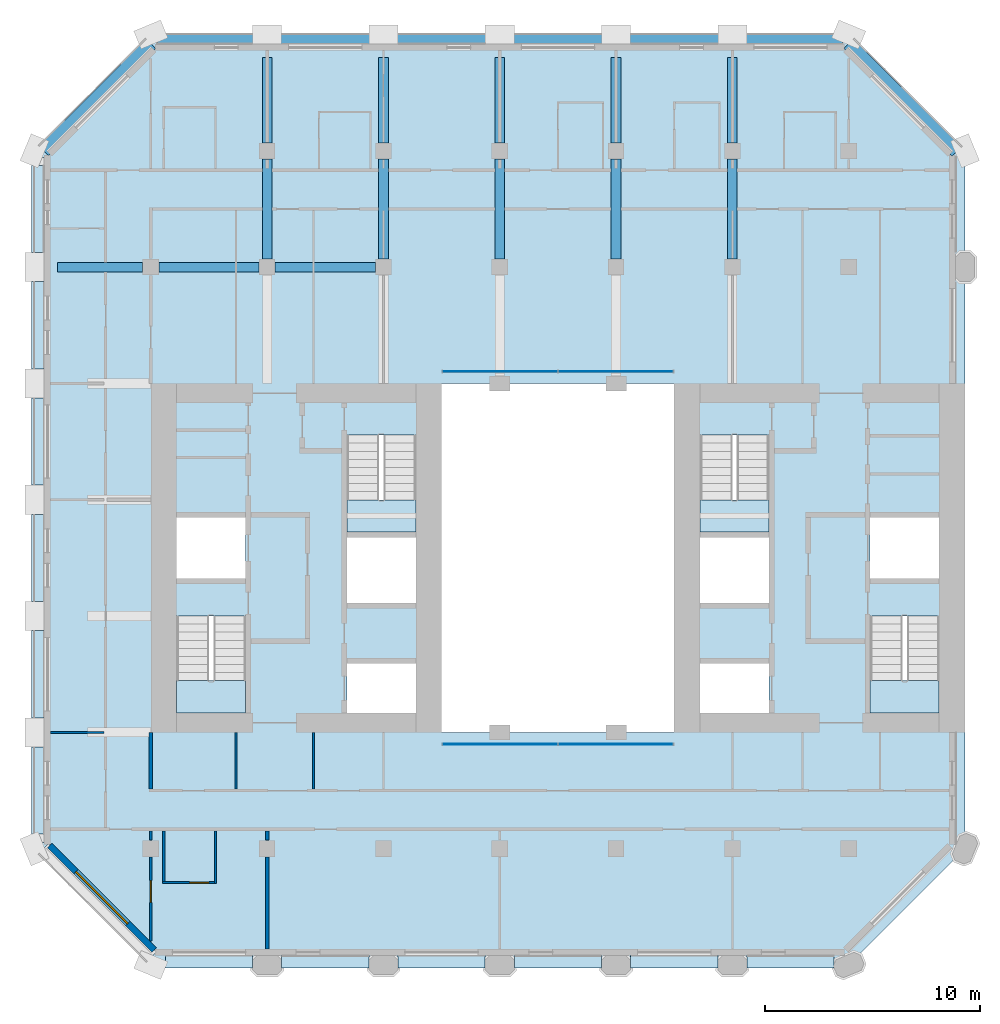
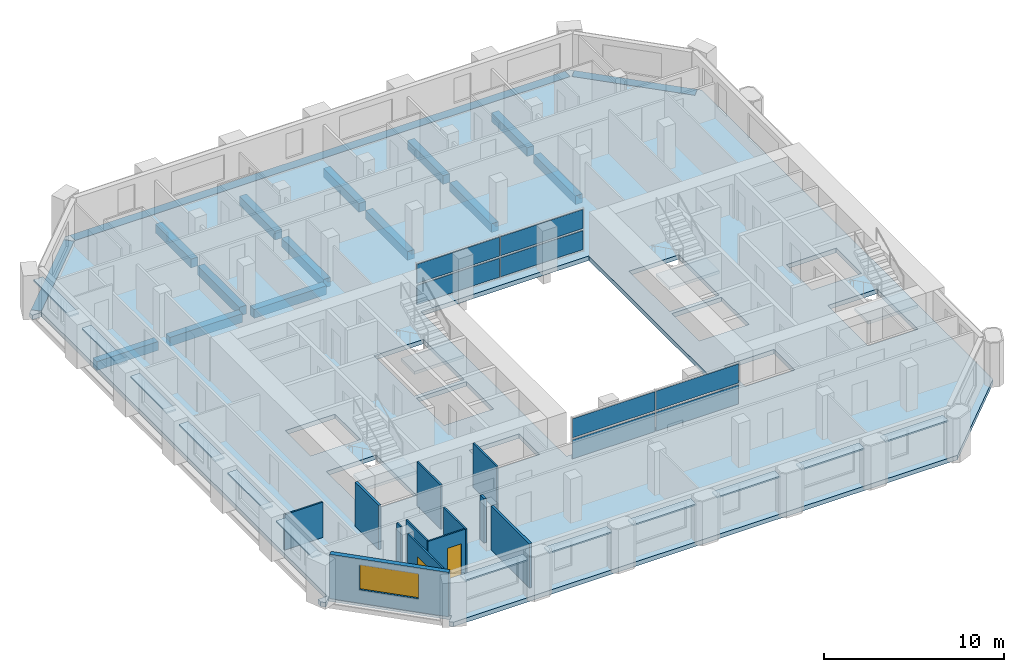
# One storey, part 5 of 14: 20 plates, 16 beams, 12 walls, 5 slabs, 2 doors, 1 window, 3 openings, 6 elements without a shape of their own.
"""IFC4 building model written with IfcOpenShell, lengths in metres."""

from ifc_helpers import new_model, si_unit, direction, frame, frame_2d, origin, origin_2d, place, context, subcontext, project, spatial, polyline, rectangle, outline, extrude, material, layer, layer_set, material_profile, profile_set, type_object, element, fill, aggregate, save


model = new_model("IFC4")

# Units and contexts
model_context = context("Model", 3, precision=1e-05, world=origin(), true_north=direction((0.0, 1.0)))
body_context = subcontext(model_context, "Body", "Model", "MODEL_VIEW")
ifc_project = project(units=[si_unit("LENGTHUNIT", "METRE"), si_unit("AREAUNIT", "SQUARE_METRE"), si_unit("VOLUMEUNIT", "CUBIC_METRE"), si_unit("PLANEANGLEUNIT", "RADIAN"), si_unit("MASSUNIT", "GRAM", prefix="KILO")], contexts=[model_context])

# Site, building, storey
site_placement = place(None, origin())
site = spatial("IfcSite", under=ifc_project, at=site_placement, CompositionType="ELEMENT")
building_placement = place(site_placement, origin())
building = spatial("IfcBuilding", under=site, at=building_placement, Name="Tabaq Tower and Sports Hall", CompositionType="ELEMENT")
storey_placement = place(building_placement, frame((0.0, 0.0, 226.89990234375)))
storey = spatial("IfcBuildingStorey", under=building, at=storey_placement, Name="L57", CompositionType="ELEMENT", Elevation=226.89990234375)

# Beams
ifc_material_1 = material(Name="Concrete C40/50", Category="concrete")
ifc_material_profile_1 = material_profile(ifc_material_1, rectangle(XDim=0.449951171875, YDim=0.60009765625, at=origin_2d()), Name="CB 450x600")
ifc_profile_set_1 = profile_set([ifc_material_profile_1], Name="Concrete C40/50")
beam_type_1 = type_object("IfcBeamType", Name="PT CANTILEVER BEAM CB 450x600 C40/50", PredefinedType="BEAM", material=ifc_profile_set_1)
beam_1_placement = place(storey_placement, frame((1.074951171875, 37.800048828125, -0.599853515625), z_axis=(1.0, 0.0, 0.0), x_axis=(0.0, 1.0, 0.0)))
element("IfcBeam", 1, at=beam_1_placement, inside=storey, type_object=beam_type_1, Name="Cantilever Beam L57 W7 span 1", PredefinedType="BEAM", context=body_context, shape_type="SweptSolid", body=[
    extrude(rectangle(XDim=0.449951171875, YDim=0.60009765625, at=origin_2d()), origin(), (0.0, 0.0, 1.0), 3.949951171875),
])
beam_2_placement = place(storey_placement, frame((5.77490234375, 37.800048828125, -0.599853515625), z_axis=(1.0, 0.0, 0.0), x_axis=(0.0, 1.0, 0.0)))
element("IfcBeam", 2, at=beam_2_placement, inside=storey, type_object=beam_type_1, Name="Cantilever Beam L57 W7 span 2", PredefinedType="BEAM", context=body_context, shape_type="SweptSolid", body=[
    extrude(rectangle(XDim=0.449951171875, YDim=0.60009765625, at=origin_2d()), origin(), (0.0, 0.0, 1.0), 4.650146484375),
])
beam_3_placement = place(storey_placement, frame((11.175048828125, 37.800048828125, -0.599853515625), z_axis=(1.0, 0.0, 0.0), x_axis=(0.0, 1.0, 0.0)))
element("IfcBeam", 3, at=beam_3_placement, inside=storey, type_object=beam_type_1, Name="Cantilever Beam L57 W7 span 3", PredefinedType="BEAM", context=body_context, shape_type="SweptSolid", body=[
    extrude(rectangle(XDim=0.449951171875, YDim=0.60009765625, at=origin_2d()), origin(), (0.0, 0.0, 1.0), 4.64990234375),
])
beam_4_placement = place(storey_placement, frame((10.800048828125, 47.52490234375, -0.599853515625), z_axis=(0.0, -1.0, 0.0), x_axis=(1.0, 0.0, 0.0)))
element("IfcBeam", 4, at=beam_4_placement, inside=storey, type_object=beam_type_1, Name="Cantilever Beam L57 N2 span 1", PredefinedType="BEAM", context=body_context, shape_type="SweptSolid", body=[
    extrude(rectangle(XDim=0.449951171875, YDim=0.60009765625, at=origin_2d()), origin(), (0.0, 0.0, 1.0), 3.949951171875),
])
beam_5_placement = place(storey_placement, frame((10.800048828125, 42.824951171875, -0.599853515625), z_axis=(0.0, -1.0, 0.0), x_axis=(1.0, 0.0, 0.0)))
element("IfcBeam", 5, at=beam_5_placement, inside=storey, type_object=beam_type_1, Name="Cantilever Beam L57 N2 span 2", PredefinedType="BEAM", context=body_context, shape_type="SweptSolid", body=[
    extrude(rectangle(XDim=0.449951171875, YDim=0.60009765625, at=origin_2d()), origin(), (0.0, 0.0, 1.0), 4.64990234375),
])
beam_6_placement = place(storey_placement, frame((16.199951171875, 47.52490234375, -0.599853515625), z_axis=(0.0, -1.0, 0.0), x_axis=(1.0, 0.0, 0.0)))
element("IfcBeam", 6, at=beam_6_placement, inside=storey, type_object=beam_type_1, Name="Cantilever Beam L57 N3 span 1", PredefinedType="BEAM", context=body_context, shape_type="SweptSolid", body=[
    extrude(rectangle(XDim=0.449951171875, YDim=0.60009765625, at=origin_2d()), origin(), (0.0, 0.0, 1.0), 3.949951171875),
])
beam_7_placement = place(storey_placement, frame((16.199951171875, 42.824951171875, -0.599853515625), z_axis=(0.0, -1.0, 0.0), x_axis=(1.0, 0.0, 0.0)))
element("IfcBeam", 7, at=beam_7_placement, inside=storey, type_object=beam_type_1, Name="Cantilever Beam L57 N3 span 2", PredefinedType="BEAM", context=body_context, shape_type="SweptSolid", body=[
    extrude(rectangle(XDim=0.449951171875, YDim=0.60009765625, at=origin_2d()), origin(), (0.0, 0.0, 1.0), 4.64990234375),
])
beam_8_placement = place(storey_placement, frame((21.60009765625, 47.52490234375, -0.599853515625), z_axis=(0.0, -1.0, 0.0), x_axis=(1.0, 0.0, 0.0)))
element("IfcBeam", 8, at=beam_8_placement, inside=storey, type_object=beam_type_1, Name="Cantilever Beam L57 N4 span 1", PredefinedType="BEAM", context=body_context, shape_type="SweptSolid", body=[
    extrude(rectangle(XDim=0.449951171875, YDim=0.60009765625, at=origin_2d()), origin(), (0.0, 0.0, 1.0), 3.949951171875),
])
beam_9_placement = place(storey_placement, frame((21.60009765625, 42.824951171875, -0.599853515625), z_axis=(0.0, -1.0, 0.0), x_axis=(1.0, 0.0, 0.0)))
element("IfcBeam", 9, at=beam_9_placement, inside=storey, type_object=beam_type_1, Name="Cantilever Beam L57 N4 span 2", PredefinedType="BEAM", context=body_context, shape_type="SweptSolid", body=[
    extrude(rectangle(XDim=0.449951171875, YDim=0.60009765625, at=origin_2d()), origin(), (0.0, 0.0, 1.0), 4.64990234375),
])
beam_10_placement = place(storey_placement, frame((27.0, 47.52490234375, -0.599853515625), z_axis=(0.0, -1.0, 0.0), x_axis=(1.0, 0.0, 0.0)))
element("IfcBeam", 10, at=beam_10_placement, inside=storey, type_object=beam_type_1, Name="Cantilever Beam L57 N5 span 1", PredefinedType="BEAM", context=body_context, shape_type="SweptSolid", body=[
    extrude(rectangle(XDim=0.449951171875, YDim=0.60009765625, at=origin_2d()), origin(), (0.0, 0.0, 1.0), 3.949951171875),
])
beam_11_placement = place(storey_placement, frame((27.0, 42.824951171875, -0.599853515625), z_axis=(0.0, -1.0, 0.0), x_axis=(1.0, 0.0, 0.0)))
element("IfcBeam", 11, at=beam_11_placement, inside=storey, type_object=beam_type_1, Name="Cantilever Beam L57 N5 span 2", PredefinedType="BEAM", context=body_context, shape_type="SweptSolid", body=[
    extrude(rectangle(XDim=0.449951171875, YDim=0.60009765625, at=origin_2d()), origin(), (0.0, 0.0, 1.0), 4.64990234375),
])
beam_12_placement = place(storey_placement, frame((32.39990234375, 47.52490234375, -0.599853515625), z_axis=(0.0, -1.0, 0.0), x_axis=(1.0, 0.0, 0.0)))
element("IfcBeam", 12, at=beam_12_placement, inside=storey, type_object=beam_type_1, Name="Cantilever Beam L57 N6 span 1", PredefinedType="BEAM", context=body_context, shape_type="SweptSolid", body=[
    extrude(rectangle(XDim=0.449951171875, YDim=0.60009765625, at=origin_2d()), origin(), (0.0, 0.0, 1.0), 3.949951171875),
])
beam_13_placement = place(storey_placement, frame((32.39990234375, 42.824951171875, -0.599853515625), z_axis=(0.0, -1.0, 0.0), x_axis=(1.0, 0.0, 0.0)))
element("IfcBeam", 13, at=beam_13_placement, inside=storey, type_object=beam_type_1, Name="Cantilever Beam L57 N6 span 2", PredefinedType="BEAM", context=body_context, shape_type="SweptSolid", body=[
    extrude(rectangle(XDim=0.449951171875, YDim=0.60009765625, at=origin_2d()), origin(), (0.0, 0.0, 1.0), 4.64990234375),
])
ifc_material_2 = material(Name="Concrete C40/50", Category="concrete")
ifc_material_profile_2 = material_profile(ifc_material_2, rectangle(XDim=0.60009765625, YDim=0.300048828125, at=origin_2d()), Name="EB 600x300")
ifc_profile_set_2 = profile_set([ifc_material_profile_2], Name="Concrete C40/50")
beam_type_2 = type_object("IfcBeamType", Name="PT EDGE BEAM EB 600x300 C40/50", PredefinedType="SPANDREL", material=ifc_profile_set_2)
beam_14_placement = place(storey_placement, frame((42.81103515625, 43.16455078125, -0.14990234375), z_axis=(-0.707089559252, 0.707124002701, 0.0), x_axis=(-0.707124002701, -0.707089559252, 0.0)))
element("IfcBeam", 14, at=beam_14_placement, inside=storey, type_object=beam_type_2, Name="Edge Beam L57 1", PredefinedType="SPANDREL", context=body_context, shape_type="SweptSolid", body=[
    extrude(rectangle(XDim=0.60009765625, YDim=0.300048828125, at=origin_2d()), origin(), (0.0, 0.0, 1.0), 7.088134765625),
])
beam_15_placement = place(storey_placement, frame((37.50146484375, 48.300048828125, -0.14990234375), z_axis=(-1.0, 0.0, 0.0), x_axis=(0.0, -1.0, 0.0)))
element("IfcBeam", 15, at=beam_15_placement, inside=storey, type_object=beam_type_2, Name="Edge Beam L57 2", PredefinedType="SPANDREL", context=body_context, shape_type="SweptSolid", body=[
    extrude(rectangle(XDim=0.60009765625, YDim=0.300048828125, at=origin_2d()), origin(), (0.0, 0.0, 1.0), 31.802978515625),
])
beam_16_placement = place(storey_placement, frame((5.401123046875, 48.1767578125, -0.14990234375), z_axis=(-0.707106781187, -0.707106781187, 0.0), x_axis=(0.707106781187, -0.707106781187, 0.0)))
element("IfcBeam", 16, at=beam_16_placement, inside=storey, type_object=beam_type_2, Name="Edge Beam L57 3", PredefinedType="SPANDREL", context=body_context, shape_type="SweptSolid", body=[
    extrude(rectangle(XDim=0.60009765625, YDim=0.300048828125, at=origin_2d()), origin(), (0.0, 0.0, 1.0), 7.03955078125),
])

# Curtain wall, plates
ifc_material_3 = material(Name="Aluminium alloy 6063-T6 framed glazing", Category="aluminium")
curtain_wall_type = type_object("IfcCurtainWallType", Name="CW1 curtain wall", PredefinedType="USERDEFINED", material=ifc_material_3)
curtain_wall_1_placement = place(storey_placement, origin())
curtain_wall_1 = element("IfcCurtainWall", 17, at=curtain_wall_1_placement, inside=storey, type_object=curtain_wall_type, Name="Atrium glazing L57 S", ObjectType="ATRIUM ENCLOSURE", PredefinedType="USERDEFINED")
ifc_material_4 = material(Name="Clear low-emissivity glass 28 mm", Category="glass")
ifc_layer_1 = layer(ifc_material_4, 0.028076171875)
ifc_layer_set_1 = layer_set([ifc_layer_1], Name="CW1 glass panel 28")
plate_type_1 = type_object("IfcPlateType", Name="CW1 glass panel 28", PredefinedType="CURTAIN_PANEL", material=ifc_layer_set_1)
plate_1_placement = place(storey_placement, frame((21.614990234375, 15.64990234375, 0.14013671875), z_axis=(0.0, 0.0, 1.0), x_axis=(1.0, 0.0, 0.0)))
plate_1 = element("IfcPlate", 18, at=plate_1_placement, type_object=plate_type_1, Name="CW1 panel 1.1", PredefinedType="CURTAIN_PANEL", context=body_context, shape_type="SweptSolid", body=[
    extrude(rectangle(XDim=5.31005859375, YDim=0.028076171875, at=origin_2d()), origin(), (0.0, 0.0, 1.0), 1.2900390625),
])
plate_2_placement = place(storey_placement, frame((21.614990234375, 15.64990234375, 1.570068359375), z_axis=(0.0, 0.0, 1.0), x_axis=(1.0, 0.0, 0.0)))
plate_2 = element("IfcPlate", 19, at=plate_2_placement, type_object=plate_type_1, Name="CW1 panel 1.2", PredefinedType="CURTAIN_PANEL", context=body_context, shape_type="SweptSolid", body=[
    extrude(rectangle(XDim=5.31005859375, YDim=0.028076171875, at=origin_2d()), origin(), (0.0, 0.0, 1.0), 1.2900390625),
])
plate_3_placement = place(storey_placement, frame((26.985107421875, 15.64990234375, 0.14013671875), z_axis=(0.0, 0.0, 1.0), x_axis=(1.0, 0.0, 0.0)))
plate_3 = element("IfcPlate", 20, at=plate_3_placement, type_object=plate_type_1, Name="CW1 panel 2.1", PredefinedType="CURTAIN_PANEL", context=body_context, shape_type="SweptSolid", body=[
    extrude(rectangle(XDim=5.31005859375, YDim=0.028076171875, at=origin_2d()), origin(), (0.0, 0.0, 1.0), 1.2900390625),
])
plate_4_placement = place(storey_placement, frame((26.985107421875, 15.64990234375, 1.570068359375), z_axis=(0.0, 0.0, 1.0), x_axis=(1.0, 0.0, 0.0)))
plate_4 = element("IfcPlate", 21, at=plate_4_placement, type_object=plate_type_1, Name="CW1 panel 2.2", PredefinedType="CURTAIN_PANEL", context=body_context, shape_type="SweptSolid", body=[
    extrude(rectangle(XDim=5.31005859375, YDim=0.028076171875, at=origin_2d()), origin(), (0.0, 0.0, 1.0), 1.2900390625),
])
aggregate(curtain_wall_1, [plate_1, plate_2, plate_3, plate_4])

curtain_wall_2_placement = place(storey_placement, origin())
curtain_wall_2 = element("IfcCurtainWall", 22, at=curtain_wall_2_placement, inside=storey, type_object=curtain_wall_type, Name="Atrium glazing L57 N", ObjectType="ATRIUM ENCLOSURE", PredefinedType="USERDEFINED")
plate_5_placement = place(storey_placement, frame((21.614990234375, 32.949951171875, 0.14013671875), z_axis=(0.0, 0.0, 1.0), x_axis=(1.0, 0.0, 0.0)))
plate_5 = element("IfcPlate", 23, at=plate_5_placement, type_object=plate_type_1, Name="CW1 panel 1.1", PredefinedType="CURTAIN_PANEL", context=body_context, shape_type="SweptSolid", body=[
    extrude(rectangle(XDim=5.31005859375, YDim=0.028076171875, at=origin_2d()), origin(), (0.0, 0.0, 1.0), 1.2900390625),
])
plate_6_placement = place(storey_placement, frame((21.614990234375, 32.949951171875, 1.570068359375), z_axis=(0.0, 0.0, 1.0), x_axis=(1.0, 0.0, 0.0)))
plate_6 = element("IfcPlate", 24, at=plate_6_placement, type_object=plate_type_1, Name="CW1 panel 1.2", PredefinedType="CURTAIN_PANEL", context=body_context, shape_type="SweptSolid", body=[
    extrude(rectangle(XDim=5.31005859375, YDim=0.028076171875, at=origin_2d()), origin(), (0.0, 0.0, 1.0), 1.2900390625),
])
plate_7_placement = place(storey_placement, frame((26.985107421875, 32.949951171875, 0.14013671875), z_axis=(0.0, 0.0, 1.0), x_axis=(1.0, 0.0, 0.0)))
plate_7 = element("IfcPlate", 25, at=plate_7_placement, type_object=plate_type_1, Name="CW1 panel 2.1", PredefinedType="CURTAIN_PANEL", context=body_context, shape_type="SweptSolid", body=[
    extrude(rectangle(XDim=5.31005859375, YDim=0.028076171875, at=origin_2d()), origin(), (0.0, 0.0, 1.0), 1.2900390625),
])
plate_8_placement = place(storey_placement, frame((26.985107421875, 32.949951171875, 1.570068359375), z_axis=(0.0, 0.0, 1.0), x_axis=(1.0, 0.0, 0.0)))
plate_8 = element("IfcPlate", 26, at=plate_8_placement, type_object=plate_type_1, Name="CW1 panel 2.2", PredefinedType="CURTAIN_PANEL", context=body_context, shape_type="SweptSolid", body=[
    extrude(rectangle(XDim=5.31005859375, YDim=0.028076171875, at=origin_2d()), origin(), (0.0, 0.0, 1.0), 1.2900390625),
])
aggregate(curtain_wall_2, [plate_5, plate_6, plate_7, plate_8])

# Stair, slab
ifc_material_5 = material(Name="Concrete C40/50", Category="concrete")
stair_type = type_object("IfcStairType", Name="Exit stair", PredefinedType="HALF_TURN_STAIR", material=ifc_material_5)
stair_1_placement = place(storey_placement, origin())
stair_1 = element("IfcStair", 27, at=stair_1_placement, inside=storey, type_object=stair_type, Name="L57 Exit stair ST1", PredefinedType="HALF_TURN_STAIR")
ifc_material_6 = material(Name="Concrete C40/50", Category="concrete")
ifc_layer_2 = layer(ifc_material_6, 0.199951171875)
ifc_layer_set_2 = layer_set([ifc_layer_2], Name="Exit stair landing")
slab_type_1 = type_object("IfcSlabType", Name="Exit stair landing", PredefinedType="LANDING", material=ifc_layer_set_2)
slab_1_placement = place(storey_placement, frame((0.0, 0.0, 1.4501953125)))
slab_1 = element("IfcSlab", 28, at=slab_1_placement, type_object=slab_type_1, Name="ST1 landing 1", PredefinedType="LANDING", context=body_context, shape_type="SweptSolid", body=[
    extrude(outline(polyline([(6.60009765625, 18.60009765625), (6.60009765625, 17.10009765625), (9.800048828125, 17.10009765625), (9.800048828125, 18.60009765625), (6.60009765625, 18.60009765625)])), origin(), (0.0, 0.0, 1.0), 0.199951171875),
])
aggregate(stair_1, [slab_1])

stair_2_placement = place(storey_placement, origin())
stair_2 = element("IfcStair", 29, at=stair_2_placement, inside=storey, type_object=stair_type, Name="L57 Exit stair ST2", PredefinedType="HALF_TURN_STAIR")
slab_2_placement = place(storey_placement, frame((0.0, 0.0, 1.4501953125)))
slab_2 = element("IfcSlab", 30, at=slab_2_placement, type_object=slab_type_1, Name="ST2 landing 1", PredefinedType="LANDING", context=body_context, shape_type="SweptSolid", body=[
    extrude(outline(polyline([(14.5, 27.0), (14.5, 25.5), (17.699951171875, 25.5), (17.699951171875, 27.0), (14.5, 27.0)])), origin(), (0.0, 0.0, 1.0), 0.199951171875),
])
aggregate(stair_2, [slab_2])

stair_3_placement = place(storey_placement, origin())
stair_3 = element("IfcStair", 31, at=stair_3_placement, inside=storey, type_object=stair_type, Name="L57 Exit stair ST3", PredefinedType="HALF_TURN_STAIR")
slab_3_placement = place(storey_placement, frame((0.0, 0.0, 1.4501953125)))
slab_3 = element("IfcSlab", 32, at=slab_3_placement, type_object=slab_type_1, Name="ST3 landing 1", PredefinedType="LANDING", context=body_context, shape_type="SweptSolid", body=[
    extrude(outline(polyline([(38.800048828125, 18.60009765625), (38.800048828125, 17.10009765625), (42.0, 17.10009765625), (42.0, 18.60009765625), (38.800048828125, 18.60009765625)])), origin(), (0.0, 0.0, 1.0), 0.199951171875),
])
aggregate(stair_3, [slab_3])

stair_4_placement = place(storey_placement, origin())
stair_4 = element("IfcStair", 33, at=stair_4_placement, inside=storey, type_object=stair_type, Name="L57 Exit stair ST4", PredefinedType="HALF_TURN_STAIR")
slab_4_placement = place(storey_placement, frame((0.0, 0.0, 1.4501953125)))
slab_4 = element("IfcSlab", 34, at=slab_4_placement, type_object=slab_type_1, Name="ST4 landing 1", PredefinedType="LANDING", context=body_context, shape_type="SweptSolid", body=[
    extrude(outline(polyline([(30.89990234375, 27.0), (30.89990234375, 25.5), (34.10009765625, 25.5), (34.10009765625, 27.0), (30.89990234375, 27.0)])), origin(), (0.0, 0.0, 1.0), 0.199951171875),
])
aggregate(stair_4, [slab_4])

# Slab
ifc_material_7 = material(Name="Concrete C40/50", Category="concrete")
ifc_layer_3 = layer(ifc_material_7, 0.300048828125)
ifc_layer_set_3 = layer_set([ifc_layer_3], Name="PT FLOOR SLAB 300 C40/50")
slab_type_2 = type_object("IfcSlabType", Name="PT FLOOR SLAB 300 C40/50", PredefinedType="FLOOR", material=ifc_layer_set_3)
slab_5_placement = place(storey_placement, frame((0.0, 0.0, -0.2998046875)))
element("IfcSlab", 35, at=slab_5_placement, inside=storey, type_object=slab_type_2, Name="Floor Slab L57", PredefinedType="FLOOR", context=body_context, shape_type="SweptSolid", body=[
    extrude(outline(polyline([(0.0, 11.0986328125), (0.0, 10.800048828125), (0.211181640625, 10.5888671875), (0.63525390625, 11.01318359375), (5.6474609375, 6.0009765625), (5.57666015625, 5.930419921875), (5.22314453125, 5.57666015625), (5.39990234375, 5.39990234375), (37.800048828125, 5.39990234375), (43.199951171875, 10.800048828125), (43.199951171875, 43.199951171875), (43.023193359375, 43.376708984375), (42.669677734375, 43.023193359375), (42.598876953125, 42.952392578125), (37.5869140625, 47.964599609375), (37.657470703125, 48.035400390625), (38.010986328125, 48.388916015625), (37.800048828125, 48.60009765625), (37.50146484375, 48.60009765625), (37.50146484375, 48.10009765625), (37.50146484375, 48.0), (5.698486328125, 48.0), (5.698486328125, 48.10009765625), (5.698486328125, 48.60009765625), (5.39990234375, 48.60009765625), (5.18896484375, 48.388916015625), (5.54248046875, 48.035400390625), (5.61328125, 47.964599609375), (0.63525390625, 42.98681640625), (0.211181640625, 43.4111328125), (0.0, 43.199951171875), (0.0, 42.9013671875), (0.5, 42.9013671875), (0.60009765625, 42.9013671875), (0.60009765625, 11.0986328125), (0.5, 11.0986328125), (0.0, 11.0986328125)]), holes=[polyline([(14.5, 19.39990234375), (17.699951171875, 19.39990234375), (17.699951171875, 17.10009765625), (14.5, 17.10009765625), (14.5, 19.39990234375)]), polyline([(6.60009765625, 21.599365234375), (9.800048828125, 21.599365234375), (9.800048828125, 17.10009765625), (6.60009765625, 17.10009765625), (6.60009765625, 21.599365234375)]), polyline([(14.5, 25.25), (17.699951171875, 25.25), (17.699951171875, 22.199951171875), (14.5, 22.199951171875), (14.5, 25.25)]), polyline([(18.89990234375, 32.39990234375), (29.699951171875, 32.39990234375), (29.699951171875, 16.199951171875), (18.89990234375, 16.199951171875), (18.89990234375, 32.39990234375)]), polyline([(9.800048828125, 26.175048828125), (9.800048828125, 23.35009765625), (6.60009765625, 23.35009765625), (6.60009765625, 26.175048828125), (9.800048828125, 26.175048828125)]), polyline([(14.5, 29.99951171875), (17.699951171875, 29.99951171875), (17.699951171875, 25.5), (14.5, 25.5), (14.5, 29.99951171875)]), polyline([(34.10009765625, 19.39990234375), (34.10009765625, 17.10009765625), (30.89990234375, 17.10009765625), (30.89990234375, 19.39990234375), (34.10009765625, 19.39990234375)]), polyline([(42.0, 21.599365234375), (42.0, 17.10009765625), (38.800048828125, 17.10009765625), (38.800048828125, 21.599365234375), (42.0, 21.599365234375)]), polyline([(30.89990234375, 25.25), (34.10009765625, 25.25), (34.10009765625, 22.199951171875), (30.89990234375, 22.199951171875), (30.89990234375, 25.25)]), polyline([(42.0, 26.175048828125), (42.0, 23.35009765625), (38.800048828125, 23.35009765625), (38.800048828125, 26.175048828125), (42.0, 26.175048828125)]), polyline([(34.10009765625, 29.99951171875), (34.10009765625, 25.5), (30.89990234375, 25.5), (30.89990234375, 29.99951171875), (34.10009765625, 29.99951171875)])]), origin(), (0.0, 0.0, 1.0), 0.2998046875),
])

# Plates
ifc_material_8 = material(Name="White precast concrete C60/75 blade", Category="concrete")
ifc_layer_4 = layer(ifc_material_8, 0.10009765625)
ifc_layer_set_4 = layer_set([ifc_layer_4], Name="White precast concrete C60/75 sunshade 100")
plate_type_2 = type_object("IfcPlateType", Name="White precast concrete C60/75 sunshade 100", PredefinedType="USERDEFINED", material=ifc_layer_set_4)
for number, where, z_axis, x_axis, name in (
    (36, (8.10009765625, 5.550048828125, 2.60009765625), (0.0, 0.0, 1.0), (1.0, 0.0, 0.0), "Sunshade L57 S"),
    (37, (13.5, 5.550048828125, 2.60009765625), (0.0, 0.0, 1.0), (1.0, 0.0, 0.0), "Sunshade L57 S"),
    (38, (18.89990234375, 5.550048828125, 2.60009765625), (0.0, 0.0, 1.0), (1.0, 0.0, 0.0), "Sunshade L57 S"),
    (39, (24.300048828125, 5.550048828125, 2.60009765625), (0.0, 0.0, 1.0), (1.0, 0.0, 0.0), "Sunshade L57 S"),
    (40, (29.699951171875, 5.550048828125, 2.60009765625), (0.0, 0.0, 1.0), (1.0, 0.0, 0.0), "Sunshade L57 S"),
    (41, (35.10009765625, 5.550048828125, 2.60009765625), (0.0, 0.0, 1.0), (1.0, 0.0, 0.0), "Sunshade L57 S"),
    (42, (0.14990234375, 40.5, 2.60009765625), (0.0, 0.0, 1.0), (0.0, -1.0, 0.0), "Sunshade L57 W"),
    (43, (0.14990234375, 35.10009765625, 2.60009765625), (0.0, 0.0, 1.0), (0.0, -1.0, 0.0), "Sunshade L57 W"),
    (44, (0.14990234375, 29.699951171875, 2.60009765625), (0.0, 0.0, 1.0), (0.0, -1.0, 0.0), "Sunshade L57 W"),
    (45, (0.14990234375, 24.300048828125, 2.60009765625), (0.0, 0.0, 1.0), (0.0, -1.0, 0.0), "Sunshade L57 W"),
    (46, (0.14990234375, 18.89990234375, 2.60009765625), (0.0, 0.0, 1.0), (0.0, -1.0, 0.0), "Sunshade L57 W"),
    (47, (0.14990234375, 13.5, 2.60009765625), (0.0, 0.0, 1.0), (0.0, -1.0, 0.0), "Sunshade L57 W"),
):
    element("IfcPlate", number, at=place(storey_placement, frame(where, z_axis=z_axis, x_axis=x_axis)), inside=storey, type_object=plate_type_2, Name=name, ObjectType="SUNSHADE", PredefinedType="USERDEFINED", context=body_context, shape_type="SweptSolid", body=[
        extrude(rectangle(XDim=4.050048828125, YDim=0.60009765625, at=origin_2d()), origin(), (0.0, 0.0, 1.0), 0.10009765625),
    ])

# Walls
ifc_material_9 = material(Name="Gypsum board on steel studs", Category="steel")
ifc_layer_5 = layer(ifc_material_9, 0.10009765625)
ifc_layer_set_5 = layer_set([ifc_layer_5], Name="Partition 100 Gypsum board")
wall_type_1 = type_object("IfcWallType", Name="Partition 100 Gypsum board", PredefinedType="PARTITIONING", material=ifc_layer_set_5)
wall_1_placement = place(storey_placement, frame((3.22509765625, 16.199951171875, 0.0), z_axis=(0.0, 0.0, 1.0), x_axis=(-1.0, 0.0, 0.0)))
element("IfcWall", 48, at=wall_1_placement, inside=storey, type_object=wall_type_1, Name="Partition wall L57", PredefinedType="PARTITIONING", context=body_context, shape_type="SweptSolid", body=[
    extrude(rectangle(XDim=2.47412109375, YDim=0.10009765625, at=frame_2d((1.237060546875, 0.0))), origin(), (0.0, 0.0, 1.0), 2.400146484375),
])
wall_2_placement = place(storey_placement, frame((8.39990234375, 11.625, 0.0), z_axis=(0.0, 0.0, 1.0), x_axis=(0.0, -1.0, 0.0)))
element("IfcWall", 49, at=wall_2_placement, inside=storey, type_object=wall_type_1, Name="Partition wall L57", PredefinedType="PARTITIONING", context=body_context, shape_type="SweptSolid", body=[
    extrude(rectangle(XDim=2.449951171875, YDim=0.10009765625, at=frame_2d((1.22509765625, 0.0))), origin(), (0.0, 0.0, 1.0), 3.0),
])

# Wall, opening, door
wall_3_placement = place(storey_placement, frame((8.35009765625, 9.22509765625, 0.0), z_axis=(0.0, 0.0, 1.0), x_axis=(-1.0, 0.0, 0.0)))
wall_3 = element("IfcWall", 50, at=wall_3_placement, inside=storey, type_object=wall_type_1, Name="Partition wall L57", PredefinedType="PARTITIONING", context=body_context, shape_type="SweptSolid", body=[
    extrude(rectangle(XDim=2.400146484375, YDim=0.10009765625, at=frame_2d((1.2001953125, 0.0))), origin(), (0.0, 0.0, 1.0), 3.0),
])
opening_1_placement = place(wall_3_placement, frame((0.25, 0.0, 0.0)))
opening_1 = element("IfcOpeningElement", 51, at=opening_1_placement, cuts=wall_3, Name="Opening L57-017", PredefinedType="OPENING", context=body_context, shape_type="SweptSolid", body=[
    extrude(rectangle(XDim=0.89990234375, YDim=2.10009765625, at=frame_2d((0.449951171875, 1.050048828125))), frame((0.0, 0.050048828125, 0.0), z_axis=(0.0, -1.0, 0.0), x_axis=(1.0, 0.0, 0.0)), (0.0, 0.0, 1.0), 0.10009765625),
])
ifc_material_10 = material(Name="Timber leaf in steel frame", Category="steel")
door_type_1 = type_object("IfcDoorType", Name="Internal door 900 right hand", OperationType="SINGLE_SWING_RIGHT", PredefinedType="DOOR", material=ifc_material_10)
door_1_placement = place(opening_1_placement, origin())
door_1 = element("IfcDoor", 52, at=door_1_placement, inside=storey, type_object=door_type_1, Name="Internal door L57-017", OperationType="SINGLE_SWING_RIGHT", OverallHeight=2.10009765625, OverallWidth=0.89990234375, PredefinedType="DOOR", context=body_context, shape_type="SweptSolid", body=[
    extrude(rectangle(XDim=0.89990234375, YDim=2.10009765625, at=frame_2d((0.449951171875, 1.050048828125))), frame((0.0, 0.02490234375, 0.0), z_axis=(0.0, -1.0, 0.0), x_axis=(1.0, 0.0, 0.0)), (0.0, 0.0, 1.0), 0.050048828125),
])
fill(opening_1, door_1)

# Walls
wall_4_placement = place(storey_placement, frame((6.0, 9.27490234375, 0.0), z_axis=(0.0, 0.0, 1.0), x_axis=(0.0, 1.0, 0.0)))
element("IfcWall", 53, at=wall_4_placement, inside=storey, type_object=wall_type_1, Name="Partition wall L57", PredefinedType="PARTITIONING", context=body_context, shape_type="SweptSolid", body=[
    extrude(rectangle(XDim=2.35009765625, YDim=0.10009765625, at=frame_2d((1.175048828125, 0.0))), origin(), (0.0, 0.0, 1.0), 3.0),
])
wall_5_placement = place(storey_placement, frame((5.39990234375, 11.625, 0.0), z_axis=(0.0, 0.0, 1.0), x_axis=(0.0, -1.0, 0.0)))
element("IfcWall", 54, at=wall_5_placement, inside=storey, type_object=wall_type_1, Name="Partition wall L57", PredefinedType="PARTITIONING", context=body_context, shape_type="SweptSolid", body=[
    extrude(rectangle(XDim=0.429931640625, YDim=0.10009765625, at=frame_2d((0.21484375, 0.0))), origin(), (0.0, 0.0, 1.0), 3.0),
])

# Wall, opening, door
wall_6_placement = place(storey_placement, frame((5.39990234375, 10.405029296875, 0.0), z_axis=(0.0, 0.0, 1.0), x_axis=(0.0, -1.0, 0.0)))
wall_6 = element("IfcWall", 55, at=wall_6_placement, inside=storey, type_object=wall_type_1, Name="Partition wall L57", PredefinedType="PARTITIONING", context=body_context, shape_type="SweptSolid", body=[
    extrude(rectangle(XDim=3.892822265625, YDim=0.10009765625, at=frame_2d((1.9462890625, 0.0))), origin(), (0.0, 0.0, 1.0), 3.0),
])
opening_2_placement = place(wall_6_placement, frame((1.092529296875, 0.0, 0.0)))
opening_2 = element("IfcOpeningElement", 56, at=opening_2_placement, cuts=wall_6, Name="Opening L57-035", PredefinedType="OPENING", context=body_context, shape_type="SweptSolid", body=[
    extrude(rectangle(XDim=1.0, YDim=2.10009765625, at=frame_2d((0.5, 1.050048828125))), frame((0.0, 0.050048828125, 0.0), z_axis=(0.0, -1.0, 0.0), x_axis=(1.0, 0.0, 0.0)), (0.0, 0.0, 1.0), 0.10009765625),
])
ifc_material_11 = material(Name="Timber leaf in steel frame", Category="steel")
door_type_2 = type_object("IfcDoorType", Name="Internal door 1000 right hand", OperationType="SINGLE_SWING_RIGHT", PredefinedType="DOOR", material=ifc_material_11)
door_2_placement = place(opening_2_placement, origin())
door_2 = element("IfcDoor", 57, at=door_2_placement, inside=storey, type_object=door_type_2, Name="Internal door L57-035", OperationType="SINGLE_SWING_RIGHT", OverallHeight=2.10009765625, OverallWidth=1.0, PredefinedType="DOOR", context=body_context, shape_type="SweptSolid", body=[
    extrude(rectangle(XDim=1.0, YDim=2.10009765625, at=frame_2d((0.5, 1.050048828125))), frame((0.0, 0.02490234375, 0.0), z_axis=(0.0, -1.0, 0.0), x_axis=(1.0, 0.0, 0.0)), (0.0, 0.0, 1.0), 0.050048828125),
])
fill(opening_2, door_2)

# Walls
for number, where, z_axis, x_axis, name in (
    (58, (12.949951171875, 13.574951171875, 0.0), (0.0, 0.0, 1.0), (0.0, 1.0, 0.0), "Partition wall L57"),
    (59, (9.35009765625, 16.199951171875, 0.0), (0.0, 0.0, 1.0), (0.0, -1.0, 0.0), "Partition wall L57"),
):
    element("IfcWall", number, at=place(storey_placement, frame(where, z_axis=z_axis, x_axis=x_axis)), inside=storey, type_object=wall_type_1, Name=name, PredefinedType="PARTITIONING", context=body_context, shape_type="SweptSolid", body=[
        extrude(rectangle(XDim=2.625, YDim=0.10009765625, at=frame_2d((1.3125, 0.0))), origin(), (0.0, 0.0, 1.0), 3.0),
    ])
ifc_material_12 = material(Name="Blockwork", Category="masonry")
ifc_layer_6 = layer(ifc_material_12, 0.14990234375)
ifc_layer_set_6 = layer_set([ifc_layer_6], Name="Separating wall 150 Blockwork")
wall_type_2 = type_object("IfcWallType", Name="Separating wall 150 Blockwork", PredefinedType="PARTITIONING", material=ifc_layer_set_6)
wall_7_placement = place(storey_placement, frame((10.800048828125, 11.625, 0.0), z_axis=(0.0, 0.0, 1.0), x_axis=(0.0, -1.0, 0.0)))
element("IfcWall", 60, at=wall_7_placement, inside=storey, type_object=wall_type_2, Name="Separating wall L57", PredefinedType="PARTITIONING", context=body_context, shape_type="SweptSolid", body=[
    extrude(rectangle(XDim=0.429931640625, YDim=0.14990234375, at=frame_2d((0.21484375, 0.0))), origin(), (0.0, 0.0, 1.0), 3.0),
])
wall_8_placement = place(storey_placement, frame((10.800048828125, 10.405029296875, 0.0), z_axis=(0.0, 0.0, 1.0), x_axis=(0.0, -1.0, 0.0)))
element("IfcWall", 61, at=wall_8_placement, inside=storey, type_object=wall_type_2, Name="Separating wall L57", PredefinedType="PARTITIONING", context=body_context, shape_type="SweptSolid", body=[
    extrude(rectangle(XDim=4.254150390625, YDim=0.14990234375, at=frame_2d((2.126953125, 0.0))), origin(), (0.0, 0.0, 1.0), 3.0),
])
wall_9_placement = place(storey_placement, frame((5.39990234375, 13.574951171875, 0.0), z_axis=(0.0, 0.0, 1.0), x_axis=(0.0, 1.0, 0.0)))
element("IfcWall", 62, at=wall_9_placement, inside=storey, type_object=wall_type_2, Name="Separating wall L57", PredefinedType="PARTITIONING", context=body_context, shape_type="SweptSolid", body=[
    extrude(rectangle(XDim=2.625, YDim=0.14990234375, at=frame_2d((1.3125, 0.0))), origin(), (0.0, 0.0, 1.0), 3.0),
])

# Wall, opening, window
ifc_material_13 = material(Name="White precast concrete C60/75", Category="concrete")
ifc_layer_7 = layer(ifc_material_13, 0.300048828125)
ifc_layer_set_7 = layer_set([ifc_layer_7], Name="White precast concrete C60/75 external wall 300")
wall_type_3 = type_object("IfcWallType", Name="White precast concrete C60/75 external wall 300", PredefinedType="SOLIDWALL", material=ifc_layer_set_7)
wall_10_placement = place(storey_placement, frame((0.698974609375, 10.949462890625, 0.0), z_axis=(0.0, 0.0, 1.0), x_axis=(0.707106781187, -0.707106781187, 0.0)))
wall_10 = element("IfcWall", 63, at=wall_10_placement, inside=storey, type_object=wall_type_3, Name="External Wall L57 SW", PredefinedType="SOLIDWALL", context=body_context, shape_type="SweptSolid", body=[
    extrude(rectangle(XDim=6.85986328125, YDim=0.300048828125, at=frame_2d((3.429931640625, 0.0))), origin(), (0.0, 0.0, 1.0), 3.0),
])
opening_3_placement = place(wall_10_placement, frame((1.729736328125, 0.0, 0.89990234375)))
opening_3 = element("IfcOpeningElement", 64, at=opening_3_placement, cuts=wall_10, Name="Opening W1A", PredefinedType="OPENING", context=body_context, shape_type="SweptSolid", body=[
    extrude(rectangle(XDim=3.39990234375, YDim=1.699951171875, at=frame_2d((1.699951171875, 0.85009765625))), frame((0.0, 0.16015625, 0.0), z_axis=(0.0, -1.0, 0.0), x_axis=(1.0, 0.0, 0.0)), (0.0, 0.0, 1.0), 0.320068359375),
])
ifc_material_14 = material(Name="Aluminium framed clear glazing", Category="aluminium")
window_type = type_object("IfcWindowType", Name="Window W1A", PartitioningType="SINGLE_PANEL", PredefinedType="WINDOW", material=ifc_material_14)
window_placement = place(opening_3_placement, origin())
window = element("IfcWindow", 65, at=window_placement, inside=storey, type_object=window_type, Name="Window W1A L57", OverallHeight=1.699951171875, OverallWidth=3.39990234375, PartitioningType="SINGLE_PANEL", PredefinedType="WINDOW", context=body_context, shape_type="SweptSolid", body=[
    extrude(rectangle(XDim=3.39990234375, YDim=1.699951171875, at=frame_2d((1.699951171875, 0.85009765625))), frame((0.0, 0.030029296875, 0.0), z_axis=(0.0, -1.0, 0.0), x_axis=(1.0, 0.0, 0.0)), (0.0, 0.0, 1.0), 0.06005859375),
])
fill(opening_3, window)

save(model, "model.ifc")
